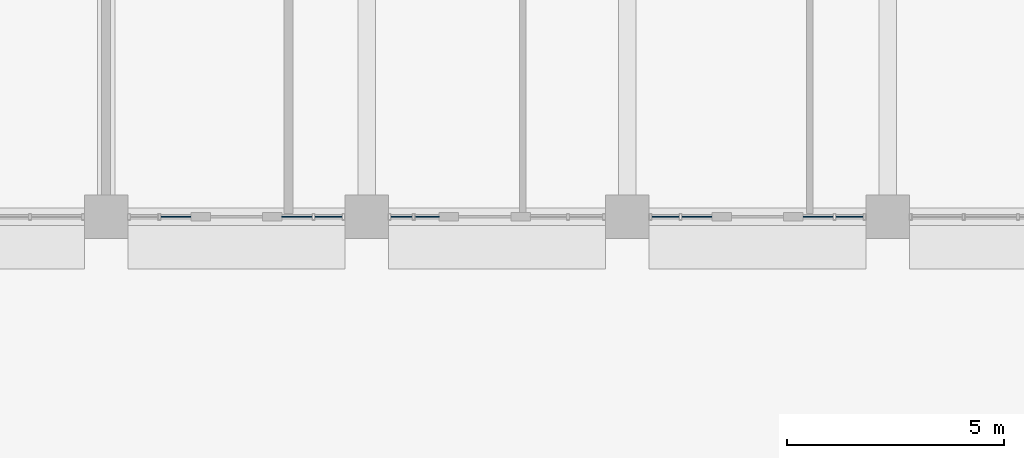
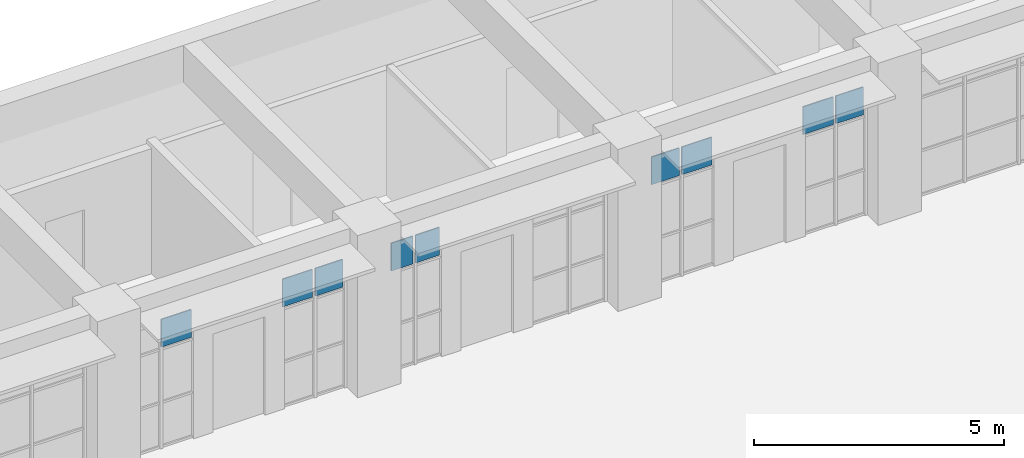
# One storey, part 60 of 103: 9 plates, 5 elements without a shape of their own.
"""IFC4 building model written with IfcOpenShell, lengths in metres."""

from ifc_helpers import new_model, si_unit, direction, frame, origin, origin_2d, place, context, subcontext, project, spatial, rectangle, extrude, material, layer, layer_set, type_object, element, aggregate, save


model = new_model("IFC4")

# Units and contexts
model_context = context("Model", 3, precision=1e-05, world=origin(), true_north=direction((0.0, 1.0)))
body_context = subcontext(model_context, "Body", "Model", "MODEL_VIEW")
ifc_project = project(units=[si_unit("LENGTHUNIT", "METRE"), si_unit("AREAUNIT", "SQUARE_METRE"), si_unit("VOLUMEUNIT", "CUBIC_METRE"), si_unit("PLANEANGLEUNIT", "RADIAN"), si_unit("MASSUNIT", "GRAM", prefix="KILO")], contexts=[model_context])

# Site, building, storey
site_placement = place(None, origin())
site = spatial("IfcSite", under=ifc_project, at=site_placement, CompositionType="ELEMENT")
building_placement = place(site_placement, origin())
building = spatial("IfcBuilding", under=site, at=building_placement, Name="Laocheng Heights Fire and Rescue Headquarters", CompositionType="ELEMENT")
storey_placement = place(building_placement, frame((0.0, 0.0, 4.199951171875)))
storey = spatial("IfcBuildingStorey", under=building, at=storey_placement, Name="L01", CompositionType="ELEMENT", Elevation=4.199951171875)

# Curtain wall, plate
ifc_material_1 = material(Name="Dark anodised aluminium unitised curtain wall, low-e double glazing", Category="aluminium")
curtain_wall_type_1 = type_object("IfcCurtainWallType", Name="CW 1450 x 3150 HQ SOUTH RIBBON", PredefinedType="NOTDEFINED", material=ifc_material_1)
curtain_wall_1_placement = place(storey_placement, origin())
curtain_wall_1 = element("IfcCurtainWall", 1, at=curtain_wall_1_placement, inside=storey, type_object=curtain_wall_type_1, Name="X5-X HQ SOUTH L01", PredefinedType="NOTDEFINED")
ifc_material_2 = material(Name="Low-e double glazed unit, laminated inner pane")
ifc_layer = layer(ifc_material_2, 0.028076171875)
ifc_layer_set = layer_set([ifc_layer], Name="Low-e double glazed unit, laminated inner pane")
plate_type = type_object("IfcPlateType", Name="CW VISION PANEL 28 X", PredefinedType="CURTAIN_PANEL", material=ifc_layer_set)
plate_1_placement = place(storey_placement, frame((61.6025390625, 50.39990234375, 2.4248046875), z_axis=(0.0, 0.0, 1.0), x_axis=(1.0, 0.0, 0.0)))
plate_1 = element("IfcPlate", 2, at=plate_1_placement, type_object=plate_type, Name="X5-X panel 2.3", PredefinedType="CURTAIN_PANEL", context=body_context, shape_type="SweptSolid", body=[
    extrude(rectangle(XDim=0.695068359375, YDim=0.028076171875, at=origin_2d()), origin(), (0.0, 0.0, 1.0), 0.675048828125),
])
aggregate(curtain_wall_1, [plate_1])

# Curtain wall, plates
curtain_wall_2_placement = place(storey_placement, origin())
curtain_wall_2 = element("IfcCurtainWall", 3, at=curtain_wall_2_placement, inside=storey, type_object=curtain_wall_type_1, Name="X5-X HQ SOUTH L01", PredefinedType="NOTDEFINED")
plate_2_placement = place(storey_placement, frame((64.3974609375, 50.39990234375, 2.4248046875), z_axis=(0.0, 0.0, 1.0), x_axis=(1.0, 0.0, 0.0)))
plate_2 = element("IfcPlate", 4, at=plate_2_placement, type_object=plate_type, Name="X5-X panel 1.3", PredefinedType="CURTAIN_PANEL", context=body_context, shape_type="SweptSolid", body=[
    extrude(rectangle(XDim=0.695068359375, YDim=0.028076171875, at=origin_2d()), origin(), (0.0, 0.0, 1.0), 0.675048828125),
])
plate_3_placement = place(storey_placement, frame((65.12255859375, 50.39990234375, 2.4248046875), z_axis=(0.0, 0.0, 1.0), x_axis=(1.0, 0.0, 0.0)))
plate_3 = element("IfcPlate", 5, at=plate_3_placement, type_object=plate_type, Name="X5-X panel 2.3", PredefinedType="CURTAIN_PANEL", context=body_context, shape_type="SweptSolid", body=[
    extrude(rectangle(XDim=0.635009765625, YDim=0.028076171875, at=origin_2d()), origin(), (0.0, 0.0, 1.0), 0.675048828125),
])
aggregate(curtain_wall_2, [plate_2, plate_3])

ifc_material_3 = material(Name="Dark anodised aluminium unitised curtain wall, low-e double glazing", Category="aluminium")
curtain_wall_type_2 = type_object("IfcCurtainWallType", Name="CW 1170 x 3150 HQ SOUTH RIBBON", PredefinedType="NOTDEFINED", material=ifc_material_3)
curtain_wall_3_placement = place(storey_placement, origin())
curtain_wall_3 = element("IfcCurtainWall", 6, at=curtain_wall_3_placement, inside=storey, type_object=curtain_wall_type_2, Name="X6-X HQ SOUTH L01", PredefinedType="NOTDEFINED")
plate_4_placement = place(storey_placement, frame((66.8076171875, 50.39990234375, 2.4248046875), z_axis=(0.0, 0.0, 1.0), x_axis=(1.0, 0.0, 0.0)))
plate_4 = element("IfcPlate", 7, at=plate_4_placement, type_object=plate_type, Name="X6-X panel 1.3", PredefinedType="CURTAIN_PANEL", context=body_context, shape_type="SweptSolid", body=[
    extrude(rectangle(XDim=0.4951171875, YDim=0.028076171875, at=origin_2d()), origin(), (0.0, 0.0, 1.0), 0.675048828125),
])
plate_5_placement = place(storey_placement, frame((67.392578125, 50.39990234375, 2.4248046875), z_axis=(0.0, 0.0, 1.0), x_axis=(1.0, 0.0, 0.0)))
plate_5 = element("IfcPlate", 8, at=plate_5_placement, type_object=plate_type, Name="X6-X panel 2.3", PredefinedType="CURTAIN_PANEL", context=body_context, shape_type="SweptSolid", body=[
    extrude(rectangle(XDim=0.554931640625, YDim=0.028076171875, at=origin_2d()), origin(), (0.0, 0.0, 1.0), 0.675048828125),
])
aggregate(curtain_wall_3, [plate_4, plate_5])

curtain_wall_4_placement = place(storey_placement, origin())
curtain_wall_4 = element("IfcCurtainWall", 9, at=curtain_wall_4_placement, inside=storey, type_object=curtain_wall_type_1, Name="X5-X HQ SOUTH L01", PredefinedType="NOTDEFINED")
plate_6_placement = place(storey_placement, frame((72.87744140625, 50.39990234375, 2.4248046875), z_axis=(0.0, 0.0, 1.0), x_axis=(1.0, 0.0, 0.0)))
plate_6 = element("IfcPlate", 10, at=plate_6_placement, type_object=plate_type, Name="X5-X panel 1.3", PredefinedType="CURTAIN_PANEL", context=body_context, shape_type="SweptSolid", body=[
    extrude(rectangle(XDim=0.635009765625, YDim=0.028076171875, at=origin_2d()), origin(), (0.0, 0.0, 1.0), 0.675048828125),
])
plate_7_placement = place(storey_placement, frame((73.6025390625, 50.39990234375, 2.4248046875), z_axis=(0.0, 0.0, 1.0), x_axis=(1.0, 0.0, 0.0)))
plate_7 = element("IfcPlate", 11, at=plate_7_placement, type_object=plate_type, Name="X5-X panel 2.3", PredefinedType="CURTAIN_PANEL", context=body_context, shape_type="SweptSolid", body=[
    extrude(rectangle(XDim=0.695068359375, YDim=0.028076171875, at=origin_2d()), origin(), (0.0, 0.0, 1.0), 0.675048828125),
])
aggregate(curtain_wall_4, [plate_6, plate_7])

curtain_wall_5_placement = place(storey_placement, origin())
curtain_wall_5 = element("IfcCurtainWall", 12, at=curtain_wall_5_placement, inside=storey, type_object=curtain_wall_type_1, Name="X5-X HQ SOUTH L01", PredefinedType="NOTDEFINED")
plate_8_placement = place(storey_placement, frame((76.3974609375, 50.39990234375, 2.4248046875), z_axis=(0.0, 0.0, 1.0), x_axis=(1.0, 0.0, 0.0)))
plate_8 = element("IfcPlate", 13, at=plate_8_placement, type_object=plate_type, Name="X5-X panel 1.3", PredefinedType="CURTAIN_PANEL", context=body_context, shape_type="SweptSolid", body=[
    extrude(rectangle(XDim=0.695068359375, YDim=0.028076171875, at=origin_2d()), origin(), (0.0, 0.0, 1.0), 0.675048828125),
])
plate_9_placement = place(storey_placement, frame((77.12255859375, 50.39990234375, 2.4248046875), z_axis=(0.0, 0.0, 1.0), x_axis=(1.0, 0.0, 0.0)))
plate_9 = element("IfcPlate", 14, at=plate_9_placement, type_object=plate_type, Name="X5-X panel 2.3", PredefinedType="CURTAIN_PANEL", context=body_context, shape_type="SweptSolid", body=[
    extrude(rectangle(XDim=0.635009765625, YDim=0.028076171875, at=origin_2d()), origin(), (0.0, 0.0, 1.0), 0.675048828125),
])
aggregate(curtain_wall_5, [plate_8, plate_9])

save(model, "model.ifc")
